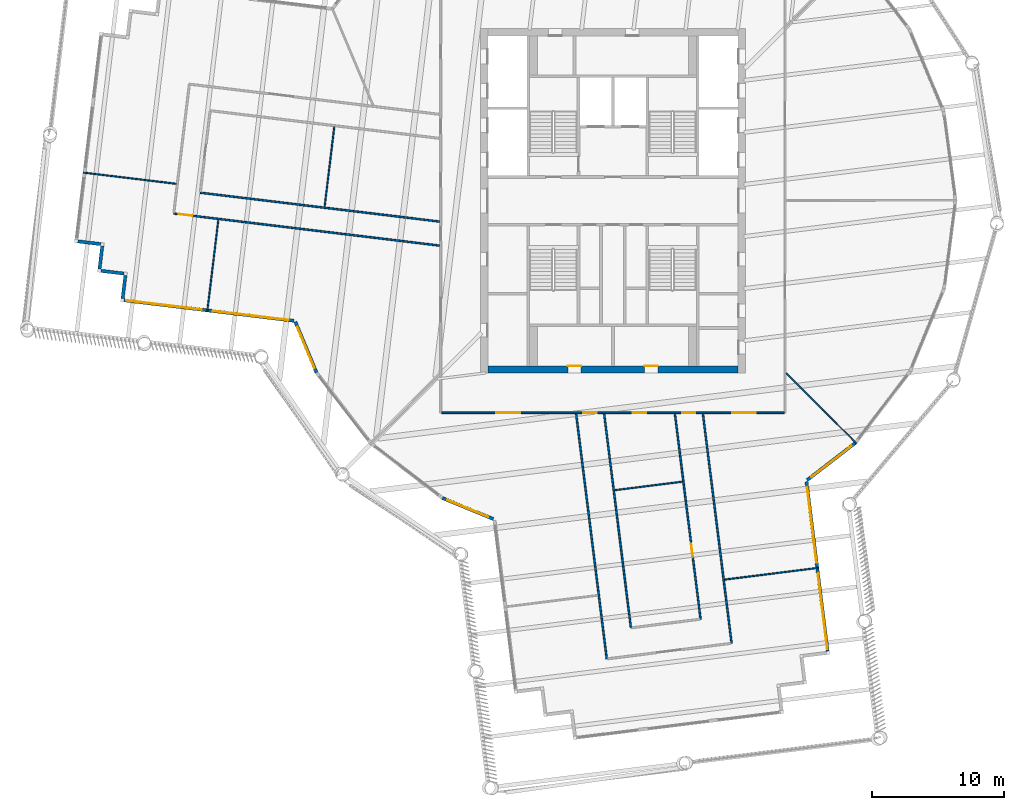
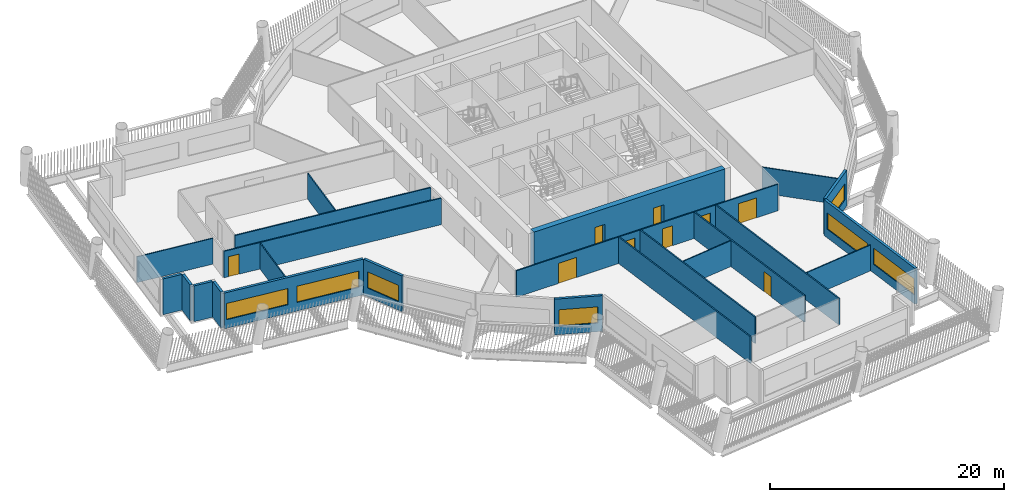
# One storey, part 3 of 14: 23 walls, 9 doors, 7 windows, 16 openings.
"""IFC4 building model written with IfcOpenShell, lengths in metres."""

from ifc_helpers import new_model, si_unit, direction, frame, frame_2d, origin, place, context, subcontext, project, spatial, rectangle, extrude, material, layer, layer_set, type_object, element, fill, save


model = new_model("IFC4")

# Units and contexts
model_context = context("Model", 3, precision=1e-05, world=origin(), true_north=direction((0.0, 1.0)))
body_context = subcontext(model_context, "Body", "Model", "MODEL_VIEW")
ifc_project = project(units=[si_unit("LENGTHUNIT", "METRE"), si_unit("AREAUNIT", "SQUARE_METRE"), si_unit("VOLUMEUNIT", "CUBIC_METRE"), si_unit("PLANEANGLEUNIT", "RADIAN"), si_unit("MASSUNIT", "GRAM", prefix="KILO")], contexts=[model_context])

# Site, building, storey
site_placement = place(None, origin())
site = spatial("IfcSite", under=ifc_project, at=site_placement, CompositionType="ELEMENT")
building_placement = place(site_placement, origin())
building = spatial("IfcBuilding", under=site, at=building_placement, Name="Tarsis Ring Headquarters", CompositionType="ELEMENT")
storey_placement = place(building_placement, frame((0.0, 0.0, 259.10009765625)))
storey = spatial("IfcBuildingStorey", under=building, at=storey_placement, Name="L60", CompositionType="ELEMENT", Elevation=259.10009765625)

# Wall, openings, doors
ifc_material_1 = material(Name="Concrete C50/60", Category="concrete")
ifc_layer_1 = layer(ifc_material_1, 0.550048828125)
ifc_layer_set_1 = layer_set([ifc_layer_1], Name="Core wall 550 C50/60")
wall_type_1 = type_object("IfcWallType", Name="Core wall 550 C50/60", PredefinedType="SHEAR", material=ifc_layer_set_1)
wall_1_placement = place(storey_placement, frame((-9.449951171875, -12.72509765625, 0.0), z_axis=(0.0, 0.0, 1.0), x_axis=(1.0, 0.0, 0.0)))
wall_1 = element("IfcWall", 1, at=wall_1_placement, inside=storey, type_object=wall_type_1, Name="Core wall OS", PredefinedType="SHEAR", context=body_context, shape_type="SweptSolid", body=[
    extrude(rectangle(XDim=18.89990234375, YDim=0.550048828125, at=frame_2d((9.449951171875, 0.0))), origin(), (0.0, 0.0, 1.0), 3.739990234375),
])
opening_1_placement = place(wall_1_placement, frame((6.050048828125, 0.0, 0.0)))
opening_1 = element("IfcOpeningElement", 2, at=opening_1_placement, cuts=wall_1, Name="Opening L60-C18", PredefinedType="OPENING", context=body_context, shape_type="SweptSolid", body=[
    extrude(rectangle(XDim=1.0, YDim=2.10009765625, at=frame_2d((0.5, 1.050048828125))), frame((0.0, 0.284912109375, 0.0), z_axis=(0.0, -1.0, 0.0), x_axis=(1.0, 0.0, 0.0)), (0.0, 0.0, 1.0), 0.570068359375),
])
opening_2_placement = place(wall_1_placement, frame((11.85009765625, 0.0, 0.0)))
opening_2 = element("IfcOpeningElement", 3, at=opening_2_placement, cuts=wall_1, Name="Opening L60-C19", PredefinedType="OPENING", context=body_context, shape_type="SweptSolid", body=[
    extrude(rectangle(XDim=1.0, YDim=2.10009765625, at=frame_2d((0.5, 1.050048828125))), frame((0.0, 0.284912109375, 0.0), z_axis=(0.0, -1.0, 0.0), x_axis=(1.0, 0.0, 0.0)), (0.0, 0.0, 1.0), 0.570068359375),
])
ifc_material_2 = material(Name="Steel S355", Category="steel")
door_type_1 = type_object("IfcDoorType", Name="Core room door 1000x2100", OperationType="SINGLE_SWING_LEFT", PredefinedType="DOOR", material=ifc_material_2)
door_1_placement = place(opening_1_placement, origin())
door_1 = element("IfcDoor", 4, at=door_1_placement, inside=storey, type_object=door_type_1, Name="Core room door L60", OperationType="SINGLE_SWING_LEFT", OverallHeight=2.10009765625, OverallWidth=1.0, PredefinedType="DOOR", context=body_context, shape_type="SweptSolid", body=[
    extrude(rectangle(XDim=1.0, YDim=2.10009765625, at=frame_2d((0.5, 1.050048828125))), frame((0.0, 0.27490234375, 0.0), z_axis=(0.0, -1.0, 0.0), x_axis=(1.0, 0.0, 0.0)), (0.0, 0.0, 1.0), 0.050048828125),
])
fill(opening_1, door_1)
door_2_placement = place(opening_2_placement, origin())
door_2 = element("IfcDoor", 5, at=door_2_placement, inside=storey, type_object=door_type_1, Name="Core room door L60", OperationType="SINGLE_SWING_LEFT", OverallHeight=2.10009765625, OverallWidth=1.0, PredefinedType="DOOR", context=body_context, shape_type="SweptSolid", body=[
    extrude(rectangle(XDim=1.0, YDim=2.10009765625, at=frame_2d((0.5, 1.050048828125))), frame((0.0, 0.27490234375, 0.0), z_axis=(0.0, -1.0, 0.0), x_axis=(1.0, 0.0, 0.0)), (0.0, 0.0, 1.0), 0.050048828125),
])
fill(opening_2, door_2)

# Walls
ifc_material_3 = material(Name="Gypsum board on steel studs", Category="steel")
ifc_layer_2 = layer(ifc_material_3, 0.10009765625)
ifc_layer_set_2 = layer_set([ifc_layer_2], Name="FL partition 100 unrated")
wall_type_2 = type_object("IfcWallType", Name="FL partition 100 unrated", PredefinedType="PARTITIONING", material=ifc_layer_set_2)
wall_2_placement = place(storey_placement, frame((13.0849609375, -13.0302734375, 0.0), z_axis=(0.0, 0.0, 1.0), x_axis=(0.708590017615, -0.705620426955, 0.0)))
element("IfcWall", 6, at=wall_2_placement, inside=storey, type_object=wall_type_2, Name="Partition PW3", PredefinedType="PARTITIONING", context=body_context, shape_type="SweptSolid", body=[
    extrude(rectangle(XDim=7.4814453125, YDim=0.10009765625, at=frame_2d((3.74072265625, 0.0))), origin(), (0.0, 0.0, 1.0), 2.699951171875),
])
wall_3_placement = place(storey_placement, frame((8.429443359375, -28.595703125, 0.0), z_axis=(0.0, 0.0, 1.0), x_axis=(0.992287882572, 0.123954661476, 0.0)))
element("IfcWall", 7, at=wall_3_placement, inside=storey, type_object=wall_type_2, Name="Partition PW3", PredefinedType="PARTITIONING", context=body_context, shape_type="SweptSolid", body=[
    extrude(rectangle(XDim=7.1298828125, YDim=0.10009765625, at=frame_2d((3.56494140625, 0.0))), origin(), (0.0, 0.0, 1.0), 2.699951171875),
])
wall_4_placement = place(storey_placement, frame((-39.982177734375, 2.134765625, 0.0), z_axis=(0.0, 0.0, 1.0), x_axis=(0.9927990122, -0.119791992116, 0.0)))
element("IfcWall", 8, at=wall_4_placement, inside=storey, type_object=wall_type_2, Name="Partition PW3", PredefinedType="PARTITIONING", context=body_context, shape_type="SweptSolid", body=[
    extrude(rectangle(XDim=7.070068359375, YDim=0.10009765625, at=frame_2d((3.53515625, 0.0))), origin(), (0.0, 0.0, 1.0), 2.699951171875),
])
wall_5_placement = place(storey_placement, frame((-30.629638671875, -8.3408203125, 0.0), z_axis=(0.0, 0.0, 1.0), x_axis=(0.119789758925, 0.992799281656, 0.0)))
element("IfcWall", 9, at=wall_5_placement, inside=storey, type_object=wall_type_2, Name="Partition PW3", PredefinedType="PARTITIONING", context=body_context, shape_type="SweptSolid", body=[
    extrude(rectangle(XDim=6.9599609375, YDim=0.10009765625, at=frame_2d((3.47998046875, 0.0))), origin(), (0.0, 0.0, 1.0), 2.699951171875),
])
wall_6_placement = place(storey_placement, frame((-21.77001953125, -0.4453125, 0.0), z_axis=(0.0, 0.0, 1.0), x_axis=(0.11979227341, 0.992798978259, 0.0)))
element("IfcWall", 10, at=wall_6_placement, inside=storey, type_object=wall_type_2, Name="Partition PW3", PredefinedType="PARTITIONING", context=body_context, shape_type="SweptSolid", body=[
    extrude(rectangle(XDim=6.099853515625, YDim=0.10009765625, at=frame_2d((3.0498046875, 0.0))), origin(), (0.0, 0.0, 1.0), 2.699951171875),
])
wall_7_placement = place(storey_placement, frame((0.12841796875, -21.842529296875, 0.0), z_axis=(0.0, 0.0, 1.0), x_axis=(0.992286609299, 0.123964853918, 0.0)))
element("IfcWall", 11, at=wall_7_placement, inside=storey, type_object=wall_type_2, Name="Partition PW3", PredefinedType="PARTITIONING", context=body_context, shape_type="SweptSolid", body=[
    extrude(rectangle(XDim=5.159912109375, YDim=0.10009765625, at=frame_2d((2.580078125, 0.0))), origin(), (0.0, 0.0, 1.0), 2.699951171875),
])

# Wall, openings, doors
ifc_layer_3 = layer(ifc_material_3, 0.125)
ifc_layer_set_3 = layer_set([ifc_layer_3], Name="FL partition 125 EI 60 H2770")
wall_type_3 = type_object("IfcWallType", Name="FL partition 125 EI 60 H2770", PredefinedType="PARTITIONING", material=ifc_layer_set_3)
wall_8_placement = place(storey_placement, frame((-12.93994140625, -16.0, 0.0), z_axis=(0.0, 0.0, 1.0), x_axis=(1.0, 0.0, 0.0)))
wall_8 = element("IfcWall", 12, at=wall_8_placement, inside=storey, type_object=wall_type_3, Name="Partition PW1", PredefinedType="PARTITIONING", context=body_context, shape_type="SweptSolid", body=[
    extrude(rectangle(XDim=25.8798828125, YDim=0.125, at=frame_2d((12.93994140625, 0.0))), origin(), (0.0, 0.0, 1.0), 2.77001953125),
])
opening_3_placement = place(wall_8_placement, frame((21.9326171875, 0.0, 0.0)))
opening_3 = element("IfcOpeningElement", 13, at=opening_3_placement, cuts=wall_8, Name="Opening D60.09", PredefinedType="OPENING", context=body_context, shape_type="SweptSolid", body=[
    extrude(rectangle(XDim=1.800048828125, YDim=2.10009765625, at=frame_2d((0.89990234375, 1.050048828125))), frame((0.0, 0.072509765625, 0.0), z_axis=(0.0, -1.0, 0.0), x_axis=(1.0, 0.0, 0.0)), (0.0, 0.0, 1.0), 0.14501953125),
])
opening_4_placement = place(wall_8_placement, frame((4.145751953125, 0.0, 0.0)))
opening_4 = element("IfcOpeningElement", 14, at=opening_4_placement, cuts=wall_8, Name="Opening D60.11", PredefinedType="OPENING", context=body_context, shape_type="SweptSolid", body=[
    extrude(rectangle(XDim=1.800048828125, YDim=2.10009765625, at=frame_2d((0.89990234375, 1.050048828125))), frame((0.0, 0.072509765625, 0.0), z_axis=(0.0, -1.0, 0.0), x_axis=(1.0, 0.0, 0.0)), (0.0, 0.0, 1.0), 0.14501953125),
])
opening_5_placement = place(wall_8_placement, frame((14.438720703125, 0.0, 0.0)))
opening_5 = element("IfcOpeningElement", 15, at=opening_5_placement, cuts=wall_8, Name="Opening D60.15", PredefinedType="OPENING", context=body_context, shape_type="SweptSolid", body=[
    extrude(rectangle(XDim=1.0, YDim=2.10009765625, at=frame_2d((0.5, 1.050048828125))), frame((0.0, 0.072509765625, 0.0), z_axis=(0.0, -1.0, 0.0), x_axis=(1.0, 0.0, 0.0)), (0.0, 0.0, 1.0), 0.14501953125),
])
opening_6_placement = place(wall_8_placement, frame((10.709716796875, 0.0, 0.0)))
opening_6 = element("IfcOpeningElement", 16, at=opening_6_placement, cuts=wall_8, Name="Opening D60.17", PredefinedType="OPENING", context=body_context, shape_type="SweptSolid", body=[
    extrude(rectangle(XDim=1.0, YDim=2.10009765625, at=frame_2d((0.5, 1.050048828125))), frame((0.0, 0.072509765625, 0.0), z_axis=(0.0, -1.0, 0.0), x_axis=(1.0, 0.0, 0.0)), (0.0, 0.0, 1.0), 0.14501953125),
])
opening_7_placement = place(wall_8_placement, frame((18.167236328125, 0.0, 0.0)))
opening_7 = element("IfcOpeningElement", 17, at=opening_7_placement, cuts=wall_8, Name="Opening D60.18", PredefinedType="OPENING", context=body_context, shape_type="SweptSolid", body=[
    extrude(rectangle(XDim=1.0, YDim=2.10009765625, at=frame_2d((0.5, 1.050048828125))), frame((0.0, 0.072509765625, 0.0), z_axis=(0.0, -1.0, 0.0), x_axis=(1.0, 0.0, 0.0)), (0.0, 0.0, 1.0), 0.14501953125),
])
ifc_material_4 = material(Name="Fire-rated timber door leaf in steel frame", Category="steel")
door_type_2 = type_object("IfcDoorType", Name="FL door FD60-1000", OperationType="NOTDEFINED", PredefinedType="DOOR", material=ifc_material_4)
door_3_placement = place(opening_5_placement, origin())
door_3 = element("IfcDoor", 18, at=door_3_placement, inside=storey, type_object=door_type_2, Name="Door D60.15", OperationType="SINGLE_SWING_LEFT", OverallHeight=2.10009765625, OverallWidth=1.0, PredefinedType="DOOR", context=body_context, shape_type="SweptSolid", body=[
    extrude(rectangle(XDim=1.0, YDim=2.10009765625, at=frame_2d((0.5, 1.050048828125))), frame((0.0, 0.02490234375, 0.0), z_axis=(0.0, -1.0, 0.0), x_axis=(1.0, 0.0, 0.0)), (0.0, 0.0, 1.0), 0.050048828125),
])
fill(opening_5, door_3)
door_4_placement = place(opening_6_placement, origin())
door_4 = element("IfcDoor", 19, at=door_4_placement, inside=storey, type_object=door_type_2, Name="Door D60.17", OperationType="SINGLE_SWING_LEFT", OverallHeight=2.10009765625, OverallWidth=1.0, PredefinedType="DOOR", context=body_context, shape_type="SweptSolid", body=[
    extrude(rectangle(XDim=1.0, YDim=2.10009765625, at=frame_2d((0.5, 1.050048828125))), frame((0.0, 0.02490234375, 0.0), z_axis=(0.0, -1.0, 0.0), x_axis=(1.0, 0.0, 0.0)), (0.0, 0.0, 1.0), 0.050048828125),
])
fill(opening_6, door_4)
door_5_placement = place(opening_7_placement, origin())
door_5 = element("IfcDoor", 20, at=door_5_placement, inside=storey, type_object=door_type_2, Name="Door D60.18", OperationType="SINGLE_SWING_RIGHT", OverallHeight=2.10009765625, OverallWidth=1.0, PredefinedType="DOOR", context=body_context, shape_type="SweptSolid", body=[
    extrude(rectangle(XDim=1.0, YDim=2.10009765625, at=frame_2d((0.5, 1.050048828125))), frame((0.0, 0.02490234375, 0.0), z_axis=(0.0, -1.0, 0.0), x_axis=(1.0, 0.0, 0.0)), (0.0, 0.0, 1.0), 0.050048828125),
])
fill(opening_7, door_5)
door_type_3 = type_object("IfcDoorType", Name="FL door FD60-1800", OperationType="DOUBLE_DOOR_SINGLE_SWING", PredefinedType="DOOR", material=ifc_material_4)
door_6_placement = place(opening_3_placement, origin())
door_6 = element("IfcDoor", 21, at=door_6_placement, inside=storey, type_object=door_type_3, Name="Door D60.09", OperationType="DOUBLE_DOOR_SINGLE_SWING", OverallHeight=2.10009765625, OverallWidth=1.800048828125, PredefinedType="DOOR", context=body_context, shape_type="SweptSolid", body=[
    extrude(rectangle(XDim=1.800048828125, YDim=2.10009765625, at=frame_2d((0.89990234375, 1.050048828125))), frame((0.0, 0.02490234375, 0.0), z_axis=(0.0, -1.0, 0.0), x_axis=(1.0, 0.0, 0.0)), (0.0, 0.0, 1.0), 0.050048828125),
])
fill(opening_3, door_6)
door_7_placement = place(opening_4_placement, origin())
door_7 = element("IfcDoor", 22, at=door_7_placement, inside=storey, type_object=door_type_3, Name="Door D60.11", OperationType="DOUBLE_DOOR_SINGLE_SWING", OverallHeight=2.10009765625, OverallWidth=1.800048828125, PredefinedType="DOOR", context=body_context, shape_type="SweptSolid", body=[
    extrude(rectangle(XDim=1.800048828125, YDim=2.10009765625, at=frame_2d((0.89990234375, 1.050048828125))), frame((0.0, 0.02490234375, 0.0), z_axis=(0.0, -1.0, 0.0), x_axis=(1.0, 0.0, 0.0)), (0.0, 0.0, 1.0), 0.050048828125),
])
fill(opening_4, door_7)

# Wall, opening, door
wall_9_placement = place(storey_placement, frame((-33.1630859375, -0.954345703125, 0.0), z_axis=(0.0, 0.0, 1.0), x_axis=(0.992800090341, -0.119783056475, 0.0)))
wall_9 = element("IfcWall", 23, at=wall_9_placement, inside=storey, type_object=wall_type_3, Name="Partition PW1", PredefinedType="PARTITIONING", context=body_context, shape_type="SweptSolid", body=[
    extrude(rectangle(XDim=20.2392578125, YDim=0.125, at=frame_2d((10.11962890625, 0.0))), origin(), (0.0, 0.0, 1.0), 2.77001953125),
])
opening_8_placement = place(wall_9_placement, frame((0.39990234375, 0.0, 0.0)))
opening_8 = element("IfcOpeningElement", 24, at=opening_8_placement, cuts=wall_9, Name="Opening D60.01", PredefinedType="OPENING", context=body_context, shape_type="SweptSolid", body=[
    extrude(rectangle(XDim=1.0, YDim=2.10009765625, at=frame_2d((0.5, 1.050048828125))), frame((0.0, 0.072509765625, 0.0), z_axis=(0.0, -1.0, 0.0), x_axis=(1.0, 0.0, 0.0)), (0.0, 0.0, 1.0), 0.14501953125),
])
door_8_placement = place(opening_8_placement, origin())
door_8 = element("IfcDoor", 25, at=door_8_placement, inside=storey, type_object=door_type_2, Name="Door D60.01", OperationType="SINGLE_SWING_LEFT", OverallHeight=2.10009765625, OverallWidth=1.0, PredefinedType="DOOR", context=body_context, shape_type="SweptSolid", body=[
    extrude(rectangle(XDim=1.0, YDim=2.10009765625, at=frame_2d((0.5, 1.050048828125))), frame((0.0, 0.02490234375, 0.0), z_axis=(0.0, -1.0, 0.0), x_axis=(1.0, 0.0, 0.0)), (0.0, 0.0, 1.0), 0.050048828125),
])
fill(opening_8, door_8)

# Walls
wall_10_placement = place(storey_placement, frame((-2.77978515625, -16.069580078125, 0.0), z_axis=(0.0, 0.0, 1.0), x_axis=(0.123960656977, -0.992287133607, 0.0)))
element("IfcWall", 26, at=wall_10_placement, inside=storey, type_object=wall_type_3, Name="Partition PW1", PredefinedType="PARTITIONING", context=body_context, shape_type="SweptSolid", body=[
    extrude(rectangle(XDim=18.658935546875, YDim=0.125, at=frame_2d((9.32958984375, 0.0))), origin(), (0.0, 0.0, 1.0), 2.77001953125),
])
wall_11_placement = place(storey_placement, frame((-31.160400390625, 0.6171875, 0.0), z_axis=(0.0, 0.0, 1.0), x_axis=(0.99279896509, -0.119792382549, 0.0)))
element("IfcWall", 27, at=wall_11_placement, inside=storey, type_object=wall_type_3, Name="Partition PW1", PredefinedType="PARTITIONING", context=body_context, shape_type="SweptSolid", body=[
    extrude(rectangle(XDim=18.221923828125, YDim=0.125, at=frame_2d((9.11083984375, 0.0))), origin(), (0.0, 0.0, 1.0), 2.77001953125),
])
wall_12_placement = place(storey_placement, frame((6.794189453125, -16.069580078125, 0.0), z_axis=(0.0, 0.0, 1.0), x_axis=(0.123941866322, -0.992289480833, 0.0)))
element("IfcWall", 28, at=wall_12_placement, inside=storey, type_object=wall_type_3, Name="Partition PW1", PredefinedType="PARTITIONING", context=body_context, shape_type="SweptSolid", body=[
    extrude(rectangle(XDim=17.47216796875, YDim=0.125, at=frame_2d((8.736083984375, 0.0))), origin(), (0.0, 0.0, 1.0), 2.77001953125),
])
wall_13_placement = place(storey_placement, frame((-0.663330078125, -16.069580078125, 0.0), z_axis=(0.0, 0.0, 1.0), x_axis=(0.123953605766, -0.992288014448, 0.0)))
element("IfcWall", 29, at=wall_13_placement, inside=storey, type_object=wall_type_3, Name="Partition PW1", PredefinedType="PARTITIONING", context=body_context, shape_type="SweptSolid", body=[
    extrude(rectangle(XDim=16.296630859375, YDim=0.125, at=frame_2d((8.1484375, 0.0))), origin(), (0.0, 0.0, 1.0), 2.77001953125),
])

# Wall, opening, door
wall_14_placement = place(storey_placement, frame((4.677734375, -16.069580078125, 0.0), z_axis=(0.0, 0.0, 1.0), x_axis=(0.123955935921, -0.99228772337, 0.0)))
wall_14 = element("IfcWall", 30, at=wall_14_placement, inside=storey, type_object=wall_type_3, Name="Partition PW1", PredefinedType="PARTITIONING", context=body_context, shape_type="SweptSolid", body=[
    extrude(rectangle(XDim=15.634521484375, YDim=0.125, at=frame_2d((7.8173828125, 0.0))), origin(), (0.0, 0.0, 1.0), 2.77001953125),
])
opening_9_placement = place(wall_14_placement, frame((9.90087890625, 0.0, 0.0)))
opening_9 = element("IfcOpeningElement", 31, at=opening_9_placement, cuts=wall_14, Name="Opening D60.16", PredefinedType="OPENING", context=body_context, shape_type="SweptSolid", body=[
    extrude(rectangle(XDim=1.0, YDim=2.10009765625, at=frame_2d((0.5, 1.050048828125))), frame((0.0, 0.072509765625, 0.0), z_axis=(0.0, -1.0, 0.0), x_axis=(1.0, 0.0, 0.0)), (0.0, 0.0, 1.0), 0.14501953125),
])
door_9_placement = place(opening_9_placement, origin())
door_9 = element("IfcDoor", 32, at=door_9_placement, inside=storey, type_object=door_type_2, Name="Door D60.16", OperationType="SINGLE_SWING_RIGHT", OverallHeight=2.10009765625, OverallWidth=1.0, PredefinedType="DOOR", context=body_context, shape_type="SweptSolid", body=[
    extrude(rectangle(XDim=1.0, YDim=2.10009765625, at=frame_2d((0.5, 1.050048828125))), frame((0.0, 0.02490234375, 0.0), z_axis=(0.0, -1.0, 0.0), x_axis=(1.0, 0.0, 0.0)), (0.0, 0.0, 1.0), 0.050048828125),
])
fill(opening_9, door_9)

# Wall, openings, windows
ifc_material_5 = material(Name="Terracotta clad insulated panel wall", Category="masonry")
ifc_layer_4 = layer(ifc_material_5, 0.25)
ifc_layer_set_4 = layer_set([ifc_layer_4], Name="Facade wall terracotta panel 250")
wall_type_4 = type_object("IfcWallType", Name="Facade wall terracotta panel 250", PredefinedType="STANDARD", material=ifc_layer_set_4)
wall_15_placement = place(storey_placement, frame((-36.9150390625, -7.507080078125, 0.0), z_axis=(0.0, 0.0, 1.0), x_axis=(0.99279983618, -0.119785163023, 0.0)))
wall_15 = element("IfcWall", 33, at=wall_15_placement, inside=storey, type_object=wall_type_4, Name="External wall L60-01", PredefinedType="STANDARD", context=body_context, shape_type="SweptSolid", body=[
    extrude(rectangle(XDim=12.921875, YDim=0.25, at=frame_2d((6.4609375, 0.0))), origin(), (0.0, 0.0, 1.0), 3.739990234375),
])
opening_10_placement = place(wall_15_placement, frame((0.16796875, 0.0, 0.89990234375)))
opening_10 = element("IfcOpeningElement", 34, at=opening_10_placement, cuts=wall_15, Name="Opening WN06", PredefinedType="OPENING", context=body_context, shape_type="SweptSolid", body=[
    extrude(rectangle(XDim=5.75, YDim=1.699951171875, at=frame_2d((2.875, 0.85009765625))), frame((0.0, 0.135009765625, 0.0), z_axis=(0.0, -1.0, 0.0), x_axis=(1.0, 0.0, 0.0)), (0.0, 0.0, 1.0), 0.27001953125),
])
opening_11_placement = place(wall_15_placement, frame((6.75390625, 0.0, 0.89990234375)))
opening_11 = element("IfcOpeningElement", 35, at=opening_11_placement, cuts=wall_15, Name="Opening WN06", PredefinedType="OPENING", context=body_context, shape_type="SweptSolid", body=[
    extrude(rectangle(XDim=5.75, YDim=1.699951171875, at=frame_2d((2.875, 0.85009765625))), frame((0.0, 0.135009765625, 0.0), z_axis=(0.0, -1.0, 0.0), x_axis=(1.0, 0.0, 0.0)), (0.0, 0.0, 1.0), 0.27001953125),
])
ifc_material_6 = material(Name="Aluminium framed double glazing", Category="aluminium")
window_type_1 = type_object("IfcWindowType", Name="Facade window 5750 x 1700", PartitioningType="SINGLE_PANEL", PredefinedType="WINDOW", material=ifc_material_6)
window_1_placement = place(opening_10_placement, origin())
window_1 = element("IfcWindow", 36, at=window_1_placement, inside=storey, type_object=window_type_1, Name="Window L60-01.1", OverallHeight=1.699951171875, OverallWidth=5.75, PartitioningType="SINGLE_PANEL", PredefinedType="WINDOW", context=body_context, shape_type="SweptSolid", body=[
    extrude(rectangle(XDim=5.75, YDim=1.699951171875, at=frame_2d((2.875, 0.85009765625))), frame((0.0, 0.030029296875, 0.0), z_axis=(0.0, -1.0, 0.0), x_axis=(1.0, 0.0, 0.0)), (0.0, 0.0, 1.0), 0.06005859375),
])
fill(opening_10, window_1)
window_2_placement = place(opening_11_placement, origin())
window_2 = element("IfcWindow", 37, at=window_2_placement, inside=storey, type_object=window_type_1, Name="Window L60-01.2", OverallHeight=1.699951171875, OverallWidth=5.75, PartitioningType="SINGLE_PANEL", PredefinedType="WINDOW", context=body_context, shape_type="SweptSolid", body=[
    extrude(rectangle(XDim=5.75, YDim=1.699951171875, at=frame_2d((2.875, 0.85009765625))), frame((0.0, 0.030029296875, 0.0), z_axis=(0.0, -1.0, 0.0), x_axis=(1.0, 0.0, 0.0)), (0.0, 0.0, 1.0), 0.06005859375),
])
fill(opening_11, window_2)

# Wall, opening, window
wall_16_placement = place(storey_placement, frame((-23.98583984375, -9.130859375, 0.0), z_axis=(0.0, 0.0, 1.0), x_axis=(0.384615384615, -0.923076923077, 0.0)))
wall_16 = element("IfcWall", 38, at=wall_16_placement, inside=storey, type_object=wall_type_4, Name="External wall L60-02", PredefinedType="STANDARD", context=body_context, shape_type="SweptSolid", body=[
    extrude(rectangle(XDim=4.15771484375, YDim=0.25, at=frame_2d((2.078857421875, 0.0))), origin(), (0.0, 0.0, 1.0), 3.739990234375),
])
opening_12_placement = place(wall_16_placement, frame((0.420166015625, 0.0, 0.89990234375)))
opening_12 = element("IfcOpeningElement", 39, at=opening_12_placement, cuts=wall_16, Name="Opening WN01", PredefinedType="OPENING", context=body_context, shape_type="SweptSolid", body=[
    extrude(rectangle(XDim=3.35009765625, YDim=1.699951171875, at=frame_2d((1.675048828125, 0.85009765625))), frame((0.0, 0.135009765625, 0.0), z_axis=(0.0, -1.0, 0.0), x_axis=(1.0, 0.0, 0.0)), (0.0, 0.0, 1.0), 0.27001953125),
])
window_type_2 = type_object("IfcWindowType", Name="Facade window 3350 x 1700", PartitioningType="SINGLE_PANEL", PredefinedType="WINDOW", material=ifc_material_6)
window_3_placement = place(opening_12_placement, origin())
window_3 = element("IfcWindow", 40, at=window_3_placement, inside=storey, type_object=window_type_2, Name="Window L60-02.1", OverallHeight=1.699951171875, OverallWidth=3.35009765625, PartitioningType="SINGLE_PANEL", PredefinedType="WINDOW", context=body_context, shape_type="SweptSolid", body=[
    extrude(rectangle(XDim=3.35009765625, YDim=1.699951171875, at=frame_2d((1.675048828125, 0.85009765625))), frame((0.0, 0.030029296875, 0.0), z_axis=(0.0, -1.0, 0.0), x_axis=(1.0, 0.0, 0.0)), (0.0, 0.0, 1.0), 0.06005859375),
])
fill(opening_12, window_3)

wall_17_placement = place(storey_placement, frame((-12.874755859375, -22.440673828125, 0.0), z_axis=(0.0, 0.0, 1.0), x_axis=(0.924679314585, -0.38074685183, 0.0)))
wall_17 = element("IfcWall", 41, at=wall_17_placement, inside=storey, type_object=wall_type_4, Name="External wall L60-05", PredefinedType="STANDARD", context=body_context, shape_type="SweptSolid", body=[
    extrude(rectangle(XDim=4.15771484375, YDim=0.25, at=frame_2d((2.078857421875, 0.0))), origin(), (0.0, 0.0, 1.0), 3.739990234375),
])
opening_13_placement = place(wall_17_placement, frame((0.38720703125, 0.0, 0.89990234375)))
opening_13 = element("IfcOpeningElement", 42, at=opening_13_placement, cuts=wall_17, Name="Opening WN01", PredefinedType="OPENING", context=body_context, shape_type="SweptSolid", body=[
    extrude(rectangle(XDim=3.35009765625, YDim=1.699951171875, at=frame_2d((1.675048828125, 0.85009765625))), frame((0.0, 0.135009765625, 0.0), z_axis=(0.0, -1.0, 0.0), x_axis=(1.0, 0.0, 0.0)), (0.0, 0.0, 1.0), 0.27001953125),
])
window_4_placement = place(opening_13_placement, origin())
window_4 = element("IfcWindow", 43, at=window_4_placement, inside=storey, type_object=window_type_2, Name="Window L60-05.1", OverallHeight=1.699951171875, OverallWidth=3.35009765625, PartitioningType="SINGLE_PANEL", PredefinedType="WINDOW", context=body_context, shape_type="SweptSolid", body=[
    extrude(rectangle(XDim=3.35009765625, YDim=1.699951171875, at=frame_2d((1.675048828125, 0.85009765625))), frame((0.0, 0.030029296875, 0.0), z_axis=(0.0, -1.0, 0.0), x_axis=(1.0, 0.0, 0.0)), (0.0, 0.0, 1.0), 0.06005859375),
])
fill(opening_13, window_4)

# Wall, openings, windows
wall_18_placement = place(storey_placement, frame((16.214599609375, -34.00244140625, 0.0), z_axis=(0.0, 0.0, 1.0), x_axis=(-0.123950887158, 0.992288354045, 0.0)))
wall_18 = element("IfcWall", 44, at=wall_18_placement, inside=storey, type_object=wall_type_4, Name="External wall L60-16", PredefinedType="STANDARD", context=body_context, shape_type="SweptSolid", body=[
    extrude(rectangle(XDim=12.9013671875, YDim=0.25, at=frame_2d((6.45068359375, 0.0))), origin(), (0.0, 0.0, 1.0), 3.739990234375),
])
opening_14_placement = place(wall_18_placement, frame((0.162841796875, 0.0, 0.89990234375)))
opening_14 = element("IfcOpeningElement", 45, at=opening_14_placement, cuts=wall_18, Name="Opening WN06", PredefinedType="OPENING", context=body_context, shape_type="SweptSolid", body=[
    extrude(rectangle(XDim=5.75, YDim=1.699951171875, at=frame_2d((2.875, 0.85009765625))), frame((0.0, 0.135009765625, 0.0), z_axis=(0.0, -1.0, 0.0), x_axis=(1.0, 0.0, 0.0)), (0.0, 0.0, 1.0), 0.27001953125),
])
opening_15_placement = place(wall_18_placement, frame((6.738525390625, 0.0, 0.89990234375)))
opening_15 = element("IfcOpeningElement", 46, at=opening_15_placement, cuts=wall_18, Name="Opening WN06", PredefinedType="OPENING", context=body_context, shape_type="SweptSolid", body=[
    extrude(rectangle(XDim=5.75, YDim=1.699951171875, at=frame_2d((2.875, 0.85009765625))), frame((0.0, 0.135009765625, 0.0), z_axis=(0.0, -1.0, 0.0), x_axis=(1.0, 0.0, 0.0)), (0.0, 0.0, 1.0), 0.27001953125),
])
window_5_placement = place(opening_14_placement, origin())
window_5 = element("IfcWindow", 47, at=window_5_placement, inside=storey, type_object=window_type_1, Name="Window L60-16.1", OverallHeight=1.699951171875, OverallWidth=5.75, PartitioningType="SINGLE_PANEL", PredefinedType="WINDOW", context=body_context, shape_type="SweptSolid", body=[
    extrude(rectangle(XDim=5.75, YDim=1.699951171875, at=frame_2d((2.875, 0.85009765625))), frame((0.0, 0.030029296875, 0.0), z_axis=(0.0, -1.0, 0.0), x_axis=(1.0, 0.0, 0.0)), (0.0, 0.0, 1.0), 0.06005859375),
])
fill(opening_14, window_5)
window_6_placement = place(opening_15_placement, origin())
window_6 = element("IfcWindow", 48, at=window_6_placement, inside=storey, type_object=window_type_1, Name="Window L60-16.2", OverallHeight=1.699951171875, OverallWidth=5.75, PartitioningType="SINGLE_PANEL", PredefinedType="WINDOW", context=body_context, shape_type="SweptSolid", body=[
    extrude(rectangle(XDim=5.75, YDim=1.699951171875, at=frame_2d((2.875, 0.85009765625))), frame((0.0, 0.030029296875, 0.0), z_axis=(0.0, -1.0, 0.0), x_axis=(1.0, 0.0, 0.0)), (0.0, 0.0, 1.0), 0.06005859375),
])
fill(opening_15, window_6)

# Wall, opening, window
wall_19_placement = place(storey_placement, frame((14.663330078125, -21.086181640625, 0.0), z_axis=(0.0, 0.0, 1.0), x_axis=(0.792057595729, 0.610446365415, 0.0)))
wall_19 = element("IfcWall", 49, at=wall_19_placement, inside=storey, type_object=wall_type_4, Name="External wall L60-17", PredefinedType="STANDARD", context=body_context, shape_type="SweptSolid", body=[
    extrude(rectangle(XDim=4.61767578125, YDim=0.25, at=frame_2d((2.308837890625, 0.0))), origin(), (0.0, 0.0, 1.0), 3.739990234375),
])
opening_16_placement = place(wall_19_placement, frame((0.400390625, 0.0, 0.89990234375)))
opening_16 = element("IfcOpeningElement", 50, at=opening_16_placement, cuts=wall_19, Name="Opening WN02", PredefinedType="OPENING", context=body_context, shape_type="SweptSolid", body=[
    extrude(rectangle(XDim=3.85009765625, YDim=1.699951171875, at=frame_2d((1.925048828125, 0.85009765625))), frame((0.0, 0.135009765625, 0.0), z_axis=(0.0, -1.0, 0.0), x_axis=(1.0, 0.0, 0.0)), (0.0, 0.0, 1.0), 0.27001953125),
])
window_type_3 = type_object("IfcWindowType", Name="Facade window 3850 x 1700", PartitioningType="SINGLE_PANEL", PredefinedType="WINDOW", material=ifc_material_6)
window_7_placement = place(opening_16_placement, origin())
window_7 = element("IfcWindow", 51, at=window_7_placement, inside=storey, type_object=window_type_3, Name="Window L60-17.1", OverallHeight=1.699951171875, OverallWidth=3.85009765625, PartitioningType="SINGLE_PANEL", PredefinedType="WINDOW", context=body_context, shape_type="SweptSolid", body=[
    extrude(rectangle(XDim=3.85009765625, YDim=1.699951171875, at=frame_2d((1.925048828125, 0.85009765625))), frame((0.0, 0.030029296875, 0.0), z_axis=(0.0, -1.0, 0.0), x_axis=(1.0, 0.0, 0.0)), (0.0, 0.0, 1.0), 0.06005859375),
])
fill(opening_16, window_7)

# Walls
for number, where, z_axis, x_axis, name in (
    (52, (-40.4072265625, -3.056640625, 0.0), (0.0, 0.0, 1.0), (0.992794754672, -0.119827271921, 0.0), "External wall L60-37"),
    (53, (-38.560546875, -3.4052734375, 0.0), (0.0, 0.0, 1.0), (-0.119827271921, -0.992794754672, 0.0), "External wall L60-38"),
    (54, (-38.6611328125, -5.28173828125, 0.0), (0.0, 0.0, 1.0), (0.992794754672, -0.119827271921, 0.0), "External wall L60-39"),
):
    element("IfcWall", number, at=place(storey_placement, frame(where, z_axis=z_axis, x_axis=x_axis)), inside=storey, type_object=wall_type_4, Name=name, PredefinedType="STANDARD", context=body_context, shape_type="SweptSolid", body=[
        extrude(rectangle(XDim=1.750244140625, YDim=0.25, at=frame_2d((0.875, 0.0))), origin(), (0.0, 0.0, 1.0), 3.739990234375),
    ])
wall_20_placement = place(storey_placement, frame((-36.814453125, -5.630615234375, 0.0), z_axis=(0.0, 0.0, 1.0), x_axis=(-0.119843869218, -0.992792751288, 0.0)))
element("IfcWall", 55, at=wall_20_placement, inside=storey, type_object=wall_type_4, Name="External wall L60-40", PredefinedType="STANDARD", context=body_context, shape_type="SweptSolid", body=[
    extrude(rectangle(XDim=1.75, YDim=0.25, at=frame_2d((0.875, 0.0))), origin(), (0.0, 0.0, 1.0), 3.739990234375),
])

save(model, "model.ifc")
